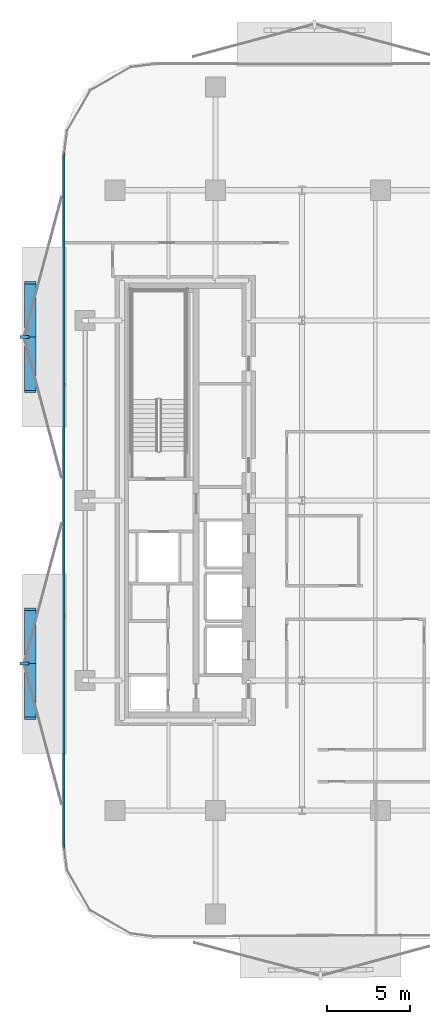
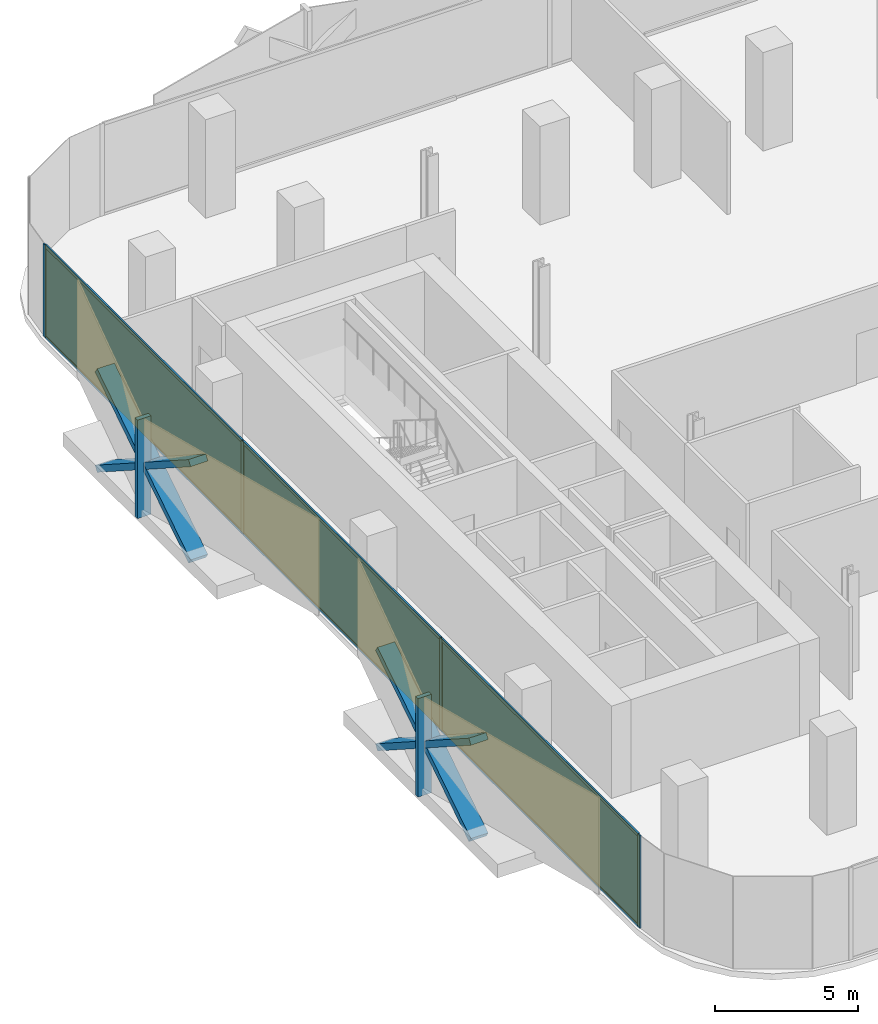
# One storey, part 8 of 15: 16 members, 3 plates, 1 curtain wall.
"""IFC4 building model written with IfcOpenShell, lengths in metres."""

import ifcopenshell
import ifcopenshell.guid

model = None  # the IFC model being written
_history = None  # IfcOwnerHistory: only IFC2X3 demands one
_inside = {}  # id of a spatial element -> (the spatial element, [elements in it])
_under = {}  # id of a project, library or spatial element -> (it, [spatial elements below it])
_declared = {}  # id of a project -> (the project, [libraries it declares])
_typed = {}  # id of a type object -> (the type object, [elements of that type])
_made_of = {}  # id of a material, layer set ... -> (it, [elements and type objects made of it])


def new_model(schema):
    """Start an empty IFC model of exactly this schema.

    Asked for "IFC4X3", IfcOpenShell would pick the latest addendum, in which some entities
    have other attributes; the version numbers below select the first issue.
    IFC2X3 requires an IfcOwnerHistory on every rooted entity: one is made here for all.
    """
    global model, _history
    if schema == "IFC4X3":
        model = ifcopenshell.file(schema_version=(4, 3, 0, 0))
    else:
        model = ifcopenshell.file(schema=schema)
    _inside.clear()
    _under.clear()
    _declared.clear()
    _typed.clear()
    _made_of.clear()
    _history = None
    if model.schema == "IFC2X3":
        org = make("IfcOrganization", Name="unknown")
        user = make(
            "IfcPersonAndOrganization",
            ThePerson=make("IfcPerson", FamilyName="unknown"),
            TheOrganization=org,
        )
        app = make(
            "IfcApplication",
            ApplicationDeveloper=org,
            Version="unknown",
            ApplicationFullName="unknown",
            ApplicationIdentifier="unknown",
        )
        _history = make(
            "IfcOwnerHistory",
            OwningUser=user,
            OwningApplication=app,
            ChangeAction="ADDED",
            CreationDate=0,
        )
    return model


def make(cls, **values):
    """One entity of the class cls with the attributes given. An attribute that is None is left unset."""
    return model.create_entity(
        cls, **{name: value for name, value in values.items() if value is not None}
    )


def rooted(cls, **values):
    """An entity with a GlobalId (a new one), such as an element, a storey or a relation."""
    return make(cls, GlobalId=ifcopenshell.guid.new(), OwnerHistory=_history, **values)


def si_unit(unit_type, name, prefix=None):
    """IfcSIUnit, for example si_unit("LENGTHUNIT", "METRE", prefix="MILLI")."""
    return make("IfcSIUnit", UnitType=unit_type, Prefix=prefix, Name=name)


def assignment(units):
    """IfcUnitAssignment: the units of a project."""
    return None if units is None else make("IfcUnitAssignment", Units=units)


def point(xyz):
    """IfcCartesianPoint."""
    return None if xyz is None else make("IfcCartesianPoint", Coordinates=xyz)


def direction(xyz):
    """IfcDirection."""
    return None if xyz is None else make("IfcDirection", DirectionRatios=xyz)


def frame(location, z_axis=None, x_axis=None):
    """IfcAxis2Placement3D, a coordinate frame: its origin and axes. An axis left out is left unset."""
    return make(
        "IfcAxis2Placement3D",
        Location=point(location),
        Axis=direction(z_axis),
        RefDirection=direction(x_axis),
    )


def frame_2d(location, x_axis=None):
    """IfcAxis2Placement2D, a coordinate frame in the plane: its origin and x axis."""
    return make(
        "IfcAxis2Placement2D", Location=point(location), RefDirection=direction(x_axis)
    )


def origin():
    """The frame at (0, 0, 0) with its axes left unset."""
    return frame((0.0, 0.0, 0.0))


def origin_2d():
    """The frame at (0, 0) in the plane with its x axis left unset."""
    return frame_2d((0.0, 0.0))


def place(relative_to, where):
    """IfcLocalPlacement: puts the frame where relative to a parent placement (None: the world)."""
    return make(
        "IfcLocalPlacement", PlacementRelTo=relative_to, RelativePlacement=where
    )


def context(
    kind, dimensions, precision=None, world=None, true_north=None, identifier=None
):
    """IfcGeometricRepresentationContext, for example the 3D "Model" context."""
    return make(
        "IfcGeometricRepresentationContext",
        ContextIdentifier=identifier,
        ContextType=kind,
        CoordinateSpaceDimension=dimensions,
        Precision=precision,
        WorldCoordinateSystem=world,
        TrueNorth=true_north,
    )


def subcontext(parent, identifier, kind, view, scale=None):
    """IfcGeometricRepresentationSubContext, for example "Body" below "Model"."""
    return make(
        "IfcGeometricRepresentationSubContext",
        ContextIdentifier=identifier,
        ContextType=kind,
        ParentContext=parent,
        TargetScale=scale,
        TargetView=view,
    )


def project(units=None, contexts=None):
    """IfcProject with its units and contexts."""
    return rooted(
        "IfcProject",
        Name="project",
        RepresentationContexts=contexts,
        UnitsInContext=assignment(units),
    )


def spatial(cls, under=None, at=None, **own):
    """A site, building, storey or space (cls), placed at a placement, below another one or the project."""
    s = rooted(cls, ObjectPlacement=at, **own)
    if under is not None:
        _under.setdefault(under.id(), (under, []))[1].append(s)
    return s


def profile(cls, at=None, kind="AREA", **sizes):
    """A parametric profile (cls). Its sizes go by their IFC names, for example OverallWidth=200.0."""
    return make(cls, ProfileType=kind, Position=at, **sizes)


def rectangle(**sizes):
    """IfcRectangleProfileDef."""
    return profile("IfcRectangleProfileDef", **sizes)


def extrude(swept, where, along, depth):
    """IfcExtrudedAreaSolid: the profile swept, set in the frame where, extruded along a direction by depth."""
    return make(
        "IfcExtrudedAreaSolid",
        SweptArea=swept,
        Position=where,
        ExtrudedDirection=direction(along),
        Depth=depth,
    )


def shape(context_of_items, identifier, shape_type, items):
    """IfcShapeRepresentation: the items that make up one representation, for example the "Body"."""
    return make(
        "IfcShapeRepresentation",
        ContextOfItems=context_of_items,
        RepresentationIdentifier=identifier,
        RepresentationType=shape_type,
        Items=items,
    )


def material(Name=None, Category=None):
    """IfcMaterial."""
    return make("IfcMaterial", Name=Name, Category=Category)


def layer(
    of_material, thickness, ventilated=None, Name=None, Category=None, Priority=None
):
    """IfcMaterialLayer: one layer of a wall or slab, of a material (None: an air gap)."""
    return make(
        "IfcMaterialLayer",
        Material=of_material,
        LayerThickness=thickness,
        IsVentilated=ventilated,
        Name=Name,
        Category=Category,
        Priority=Priority,
    )


def layer_set(layers, Name=None):
    """IfcMaterialLayerSet."""
    return make("IfcMaterialLayerSet", MaterialLayers=layers, LayerSetName=Name)


def material_profile(
    of_material, cross_section, Name=None, Category=None, Priority=None
):
    """IfcMaterialProfile: a cross section and its material."""
    return make(
        "IfcMaterialProfile",
        Name=Name,
        Material=of_material,
        Profile=cross_section,
        Priority=Priority,
        Category=Category,
    )


def profile_set(profiles, Name=None, composite=None):
    """IfcMaterialProfileSet."""
    return make(
        "IfcMaterialProfileSet",
        Name=Name,
        MaterialProfiles=profiles,
        CompositeProfile=composite,
    )


def made_of(thing, what):
    """Note that an element or type object is made of a material, layer set ...; save() writes the relation."""
    if what is not None:
        _made_of.setdefault(what.id(), (what, []))[1].append(thing)
    return thing


def type_object(cls, material=None, **own):
    """A type object (cls), such as IfcWallType, which elements share."""
    return made_of(rooted(cls, **own), material)


def element(
    cls,
    number,
    at=None,
    inside=None,
    cuts=None,
    type_object=None,
    material=None,
    context=None,
    identifier="Body",
    shape_type=None,
    held_by="IfcProductDefinitionShape",
    body=None,
    shapes=None,
    **own,
):
    """One element of the class cls, such as IfcWall. Its Tag is "e" and its number.

    at: its placement. inside: the storey or other place that contains it. cuts: it is an
    opening in that element (IfcRelVoidsElement). A single representation is given by context,
    identifier, shape_type and body (its items); several are given by shapes. held_by: the class
    of the entity that holds the representations. save() writes the other relations.
    """
    e = rooted(cls, Tag="e%d" % number, ObjectPlacement=at, **own)
    if body is not None:
        shapes = [shape(context, identifier, shape_type, body)]
    if shapes is not None:
        e.Representation = make(held_by, Representations=shapes)
    if inside is not None:
        _inside.setdefault(inside.id(), (inside, []))[1].append(e)
    if cuts is not None:
        rooted(
            "IfcRelVoidsElement", RelatingBuildingElement=cuts, RelatedOpeningElement=e
        )
    if type_object is not None:
        _typed.setdefault(type_object.id(), (type_object, []))[1].append(e)
    return made_of(e, material)


def aggregate(whole, parts):
    """IfcRelAggregates: a whole, such as a stair, and the parts it consists of."""
    return rooted("IfcRelAggregates", RelatingObject=whole, RelatedObjects=parts)


def save(model, path):
    """Write the relations noted so far, then the file.

    IfcRelAggregates (storeys below a building ...), IfcRelContainedInSpatialStructure (elements
    in a storey), IfcRelDefinesByType, IfcRelAssociatesMaterial and IfcRelDeclares: one each for
    every whole, place, type object, material and project.
    """
    for whole, parts in _under.values():
        aggregate(whole, parts)
    for where, things in _inside.values():
        rooted(
            "IfcRelContainedInSpatialStructure",
            RelatedElements=things,
            RelatingStructure=where,
        )
    for kind, things in _typed.values():
        rooted("IfcRelDefinesByType", RelatedObjects=things, RelatingType=kind)
    for what, things in _made_of.values():
        rooted("IfcRelAssociatesMaterial", RelatedObjects=things, RelatingMaterial=what)
    for by, libraries in _declared.values():
        rooted("IfcRelDeclares", RelatingContext=by, RelatedDefinitions=libraries)
    model.write(path)


model = new_model("IFC4")

# Units and contexts
model_context = context("Model", 3, precision=1e-05, world=origin(), true_north=direction((0.0, 1.0)))
body_context = subcontext(model_context, "Body", "Model", "MODEL_VIEW")
ifc_project = project(units=[si_unit("LENGTHUNIT", "METRE"), si_unit("AREAUNIT", "SQUARE_METRE"), si_unit("VOLUMEUNIT", "CUBIC_METRE"), si_unit("PLANEANGLEUNIT", "RADIAN"), si_unit("MASSUNIT", "GRAM", prefix="KILO")], contexts=[model_context])

# Member
ifc_material_1 = material(Name="Anodised Bronze Aluminium 6063-T6", Category="aluminium")
ifc_material_profile_1 = material_profile(ifc_material_1, rectangle(XDim=0.260009765625, YDim=0.699951171875, at=origin_2d()))
ifc_profile_set_1 = profile_set([ifc_material_profile_1], Name="Anodised Bronze Aluminium 6063-T6")
member_type_1 = type_object("IfcMemberType", Name="Bronze Diamond Solar-Screen Lattice Rib BDL-700", PredefinedType="MULLION", material=ifc_profile_set_1)
site_placement = place(None, origin())
building_placement = place(site_placement, origin())
storey_placement = place(building_placement, frame((0.0, 0.0, 110.0)))
member_1_placement = place(storey_placement, frame((-25.5, -13.060546875, -0.1298828125), z_axis=(0.0, 0.841066075866, 0.540932395062), x_axis=(0.0, -0.540932395062, 0.841066075866)))
member_1 = element("IfcMember", 1, at=member_1_placement, type_object=member_type_1, Name="L25 Bronze Diamond Solar Screen Lattice Rib 147A", PredefinedType="MULLION", context=body_context, shape_type="SweptSolid", body=[
    extrude(rectangle(XDim=0.260009765625, YDim=0.699951171875, at=origin_2d()), origin(), (0.0, 0.0, 1.0), 7.76416015625),
])

member_2_placement = place(storey_placement, frame((-25.5, -6.5302734375, -0.1298828125), z_axis=(0.0, -0.841066075866, 0.540932395062), x_axis=(0.0, 0.540932395062, 0.841066075866)))
member_2 = element("IfcMember", 2, at=member_2_placement, type_object=member_type_1, Name="L25 Bronze Diamond Solar Screen Lattice Rib 147B", PredefinedType="MULLION", context=body_context, shape_type="SweptSolid", body=[
    extrude(rectangle(XDim=0.260009765625, YDim=0.699951171875, at=origin_2d()), origin(), (0.0, 0.0, 1.0), 7.76416015625),
])

member_3_placement = place(storey_placement, frame((-25.5, 6.5302734375, -0.1298828125), z_axis=(0.0, 0.841066075866, 0.540932395062), x_axis=(0.0, -0.540932395062, 0.841066075866)))
member_3 = element("IfcMember", 3, at=member_3_placement, type_object=member_type_1, Name="L25 Bronze Diamond Solar Screen Lattice Rib 148A", PredefinedType="MULLION", context=body_context, shape_type="SweptSolid", body=[
    extrude(rectangle(XDim=0.260009765625, YDim=0.699951171875, at=origin_2d()), origin(), (0.0, 0.0, 1.0), 7.76416015625),
])

member_4_placement = place(storey_placement, frame((-25.5, 13.060546875, -0.1298828125), z_axis=(0.0, -0.841066075866, 0.540932395062), x_axis=(0.0, 0.540932395062, 0.841066075866)))
member_4 = element("IfcMember", 4, at=member_4_placement, type_object=member_type_1, Name="L25 Bronze Diamond Solar Screen Lattice Rib 148B", PredefinedType="MULLION", context=body_context, shape_type="SweptSolid", body=[
    extrude(rectangle(XDim=0.260009765625, YDim=0.699951171875, at=origin_2d()), origin(), (0.0, 0.0, 1.0), 7.76416015625),
])

ifc_material_2 = material(Name="Anodised Bronze Aluminium 6063-T6", Category="aluminium")
ifc_material_profile_2 = material_profile(ifc_material_2, rectangle(XDim=0.179931640625, YDim=0.5400390625, at=origin_2d()))
ifc_profile_set_2 = profile_set([ifc_material_profile_2], Name="Anodised Bronze Aluminium 6063-T6")
member_type_2 = type_object("IfcMemberType", Name="Bronze Solar-Screen Vertical Fold Fin BSF-540", PredefinedType="MULLION", material=ifc_profile_set_2)
member_5_placement = place(storey_placement, frame((-25.840087890625, -9.79541015625, -0.1298828125), z_axis=(0.0, 0.0, 1.0), x_axis=(0.0, 1.0, 0.0)))
member_5 = element("IfcMember", 5, at=member_5_placement, type_object=member_type_2, Name="L25 Bronze Solar Screen Vertical Fin 147", PredefinedType="MULLION", context=body_context, shape_type="SweptSolid", body=[
    extrude(rectangle(XDim=0.179931640625, YDim=0.5400390625, at=origin_2d()), origin(), (0.0, 0.0, 1.0), 4.199951171875),
])

member_6_placement = place(storey_placement, frame((-25.840087890625, 9.79541015625, -0.1298828125), z_axis=(0.0, 0.0, 1.0), x_axis=(0.0, 1.0, 0.0)))
member_6 = element("IfcMember", 6, at=member_6_placement, type_object=member_type_2, Name="L25 Bronze Solar Screen Vertical Fin 148", PredefinedType="MULLION", context=body_context, shape_type="SweptSolid", body=[
    extrude(rectangle(XDim=0.179931640625, YDim=0.5400390625, at=origin_2d()), origin(), (0.0, 0.0, 1.0), 4.199951171875),
])

ifc_material_3 = material(Name="Anodised Bronze Aluminium 6063-T6", Category="aluminium")
ifc_material_profile_3 = material_profile(ifc_material_3, rectangle(XDim=0.06494140625, YDim=0.175048828125, at=origin_2d()))
ifc_profile_set_3 = profile_set([ifc_material_profile_3], Name="Anodised Bronze Aluminium 6063-T6")
member_type_3 = type_object("IfcMemberType", Name="CW-Z2 Mullion 65x175", PredefinedType="MULLION", material=ifc_profile_set_3)
member_7_placement = place(storey_placement, frame((-23.4599609375, -20.75830078125, 0.0), z_axis=(0.0, 0.0, 1.0), x_axis=(-1.0, 0.0, 0.0)))
member_7 = element("IfcMember", 7, at=member_7_placement, type_object=member_type_3, Name="CW-Z2 mullion 1", PredefinedType="MULLION", context=body_context, shape_type="SweptSolid", body=[
    extrude(rectangle(XDim=0.06494140625, YDim=0.175048828125, at=origin_2d()), origin(), (0.0, 0.0, 1.0), 3.93994140625),
])

member_8_placement = place(storey_placement, frame((-23.4599609375, -6.93017578125, 0.0), z_axis=(0.0, 0.0, 1.0), x_axis=(-1.0, 0.0, 0.0)))
member_8 = element("IfcMember", 8, at=member_8_placement, type_object=member_type_3, Name="CW-Z2 mullion 2", PredefinedType="MULLION", context=body_context, shape_type="SweptSolid", body=[
    extrude(rectangle(XDim=0.06494140625, YDim=0.175048828125, at=origin_2d()), origin(), (0.0, 0.0, 1.0), 3.93994140625),
])

member_9_placement = place(storey_placement, frame((-23.4599609375, 6.93017578125, 0.0), z_axis=(0.0, 0.0, 1.0), x_axis=(-1.0, 0.0, 0.0)))
member_9 = element("IfcMember", 9, at=member_9_placement, type_object=member_type_3, Name="CW-Z2 mullion 3", PredefinedType="MULLION", context=body_context, shape_type="SweptSolid", body=[
    extrude(rectangle(XDim=0.06494140625, YDim=0.175048828125, at=origin_2d()), origin(), (0.0, 0.0, 1.0), 3.93994140625),
])

member_10_placement = place(storey_placement, frame((-23.4599609375, 20.75830078125, 0.0), z_axis=(0.0, 0.0, 1.0), x_axis=(-1.0, 0.0, 0.0)))
member_10 = element("IfcMember", 10, at=member_10_placement, type_object=member_type_3, Name="CW-Z2 mullion 4", PredefinedType="MULLION", context=body_context, shape_type="SweptSolid", body=[
    extrude(rectangle(XDim=0.06494140625, YDim=0.175048828125, at=origin_2d()), origin(), (0.0, 0.0, 1.0), 3.93994140625),
])

ifc_material_4 = material(Name="Anodised Bronze Aluminium 6063-T6", Category="aluminium")
ifc_material_profile_4 = material_profile(ifc_material_4, rectangle(XDim=0.06494140625, YDim=0.135009765625, at=origin_2d()))
ifc_profile_set_4 = profile_set([ifc_material_profile_4], Name="Anodised Bronze Aluminium 6063-T6")
member_type_4 = type_object("IfcMemberType", Name="CW-Z2 Transom 65x135", PredefinedType="USERDEFINED", material=ifc_profile_set_4)
member_11_placement = place(storey_placement, frame((-23.4599609375, -20.725830078125, 0.032470703125), z_axis=(0.0, 1.0, 0.0), x_axis=(-1.0, 0.0, 0.0)))
member_11 = element("IfcMember", 11, at=member_11_placement, type_object=member_type_4, Name="CW-Z2 transom 1.1", ObjectType="TRANSOM", PredefinedType="USERDEFINED", context=body_context, shape_type="SweptSolid", body=[
    extrude(rectangle(XDim=0.06494140625, YDim=0.135009765625, at=origin_2d()), origin(), (0.0, 0.0, 1.0), 13.76318359375),
])

member_12_placement = place(storey_placement, frame((-23.4599609375, -20.725830078125, 3.907470703125), z_axis=(0.0, 1.0, 0.0), x_axis=(-1.0, 0.0, 0.0)))
member_12 = element("IfcMember", 12, at=member_12_placement, type_object=member_type_4, Name="CW-Z2 transom 1.2", ObjectType="TRANSOM", PredefinedType="USERDEFINED", context=body_context, shape_type="SweptSolid", body=[
    extrude(rectangle(XDim=0.06494140625, YDim=0.135009765625, at=origin_2d()), origin(), (0.0, 0.0, 1.0), 13.76318359375),
])

member_13_placement = place(storey_placement, frame((-23.4599609375, -6.897705078125, 0.032470703125), z_axis=(0.0, 1.0, 0.0), x_axis=(-1.0, 0.0, 0.0)))
member_13 = element("IfcMember", 13, at=member_13_placement, type_object=member_type_4, Name="CW-Z2 transom 2.1", ObjectType="TRANSOM", PredefinedType="USERDEFINED", context=body_context, shape_type="SweptSolid", body=[
    extrude(rectangle(XDim=0.06494140625, YDim=0.135009765625, at=origin_2d()), origin(), (0.0, 0.0, 1.0), 13.79541015625),
])

member_14_placement = place(storey_placement, frame((-23.4599609375, -6.897705078125, 3.907470703125), z_axis=(0.0, 1.0, 0.0), x_axis=(-1.0, 0.0, 0.0)))
member_14 = element("IfcMember", 14, at=member_14_placement, type_object=member_type_4, Name="CW-Z2 transom 2.2", ObjectType="TRANSOM", PredefinedType="USERDEFINED", context=body_context, shape_type="SweptSolid", body=[
    extrude(rectangle(XDim=0.06494140625, YDim=0.135009765625, at=origin_2d()), origin(), (0.0, 0.0, 1.0), 13.79541015625),
])

member_15_placement = place(storey_placement, frame((-23.4599609375, 6.962646484375, 0.032470703125), z_axis=(0.0, 1.0, 0.0), x_axis=(-1.0, 0.0, 0.0)))
member_15 = element("IfcMember", 15, at=member_15_placement, type_object=member_type_4, Name="CW-Z2 transom 3.1", ObjectType="TRANSOM", PredefinedType="USERDEFINED", context=body_context, shape_type="SweptSolid", body=[
    extrude(rectangle(XDim=0.06494140625, YDim=0.135009765625, at=origin_2d()), origin(), (0.0, 0.0, 1.0), 13.76318359375),
])

member_16_placement = place(storey_placement, frame((-23.4599609375, 6.962646484375, 3.907470703125), z_axis=(0.0, 1.0, 0.0), x_axis=(-1.0, 0.0, 0.0)))
member_16 = element("IfcMember", 16, at=member_16_placement, type_object=member_type_4, Name="CW-Z2 transom 3.2", ObjectType="TRANSOM", PredefinedType="USERDEFINED", context=body_context, shape_type="SweptSolid", body=[
    extrude(rectangle(XDim=0.06494140625, YDim=0.135009765625, at=origin_2d()), origin(), (0.0, 0.0, 1.0), 13.76318359375),
])

# Plate
ifc_material_5 = material(Name="Low-E Solar Control Laminated Glass", Category="glass")
ifc_layer_1 = layer(ifc_material_5, 0.028076171875, Name="Low-E Solar Control Laminated Glass")
ifc_layer_set_1 = layer_set([ifc_layer_1], Name="Low-E Solar Control Laminated Glass")
plate_type = type_object("IfcPlateType", Name="CW-Z2 Low-E Double Glazed Panel 28mm", PredefinedType="CURTAIN_PANEL", material=ifc_layer_set_1)
plate_1_placement = place(storey_placement, frame((-23.4599609375, -13.84423828125, 0.06494140625), z_axis=(0.0, 0.0, 1.0), x_axis=(0.0, 1.0, 0.0)))
plate_1 = element("IfcPlate", 17, at=plate_1_placement, type_object=plate_type, Name="CW-Z2 panel 1.1", PredefinedType="CURTAIN_PANEL", context=body_context, shape_type="SweptSolid", body=[
    extrude(rectangle(XDim=13.762939453125, YDim=0.028076171875, at=origin_2d()), origin(), (0.0, 0.0, 1.0), 3.81005859375),
])

plate_2_placement = place(storey_placement, frame((-23.4599609375, 0.0, 0.06494140625), z_axis=(0.0, 0.0, 1.0), x_axis=(0.0, 1.0, 0.0)))
plate_2 = element("IfcPlate", 18, at=plate_2_placement, type_object=plate_type, Name="CW-Z2 panel 2.1", PredefinedType="CURTAIN_PANEL", context=body_context, shape_type="SweptSolid", body=[
    extrude(rectangle(XDim=13.795654296875, YDim=0.028076171875, at=origin_2d()), origin(), (0.0, 0.0, 1.0), 3.81005859375),
])

plate_3_placement = place(storey_placement, frame((-23.4599609375, 13.84423828125, 0.06494140625), z_axis=(0.0, 0.0, 1.0), x_axis=(0.0, 1.0, 0.0)))
plate_3 = element("IfcPlate", 19, at=plate_3_placement, type_object=plate_type, Name="CW-Z2 panel 3.1", PredefinedType="CURTAIN_PANEL", context=body_context, shape_type="SweptSolid", body=[
    extrude(rectangle(XDim=13.762939453125, YDim=0.028076171875, at=origin_2d()), origin(), (0.0, 0.0, 1.0), 3.81005859375),
])

# Site, building, storey
site = spatial("IfcSite", under=ifc_project, at=site_placement, CompositionType="ELEMENT")
building = spatial("IfcBuilding", under=site, at=building_placement, Name="Khairoan Windgate Tower", CompositionType="ELEMENT")
storey = spatial("IfcBuildingStorey", under=building, at=storey_placement, Name="L25", CompositionType="ELEMENT", Elevation=110.0)

# Curtain wall
ifc_material_6 = material(Name="Anodised Bronze Aluminium 6063-T6", Category="aluminium")
ifc_layer_2 = layer(ifc_material_6, 0.175048828125, Name="Anodised Bronze Aluminium 6063-T6")
ifc_layer_set_2 = layer_set([ifc_layer_2], Name="Anodised Bronze Aluminium 6063-T6")
curtain_wall_type = type_object("IfcCurtainWallType", Name="Mid-Rise Office Unitised Curtain Wall CW-Z2", PredefinedType="NOTDEFINED", material=ifc_layer_set_2)
curtain_wall_placement = place(storey_placement, frame((-23.4599609375, -20.790771484375, 0.0), z_axis=(0.0, 0.0, 1.0), x_axis=(0.0, 1.0, 0.0)))
curtain_wall = element("IfcCurtainWall", 20, at=curtain_wall_placement, inside=storey, type_object=curtain_wall_type, Name="L25 Unitised Curtain Wall 6", PredefinedType="NOTDEFINED", context=body_context, shape_type="SweptSolid", body=[
    extrude(rectangle(XDim=41.58154296875, YDim=0.010009765625, at=frame_2d((20.790771484375, 0.0))), origin(), (0.0, 0.0, 1.0), 3.93994140625),
])

aggregate(curtain_wall, [member_7, member_8, member_9, member_10, member_11, member_12, plate_1, member_13, member_14, plate_2, member_15, member_16, plate_3, member_1, member_2, member_5, member_3, member_4, member_6])

save(model, "model.ifc")
